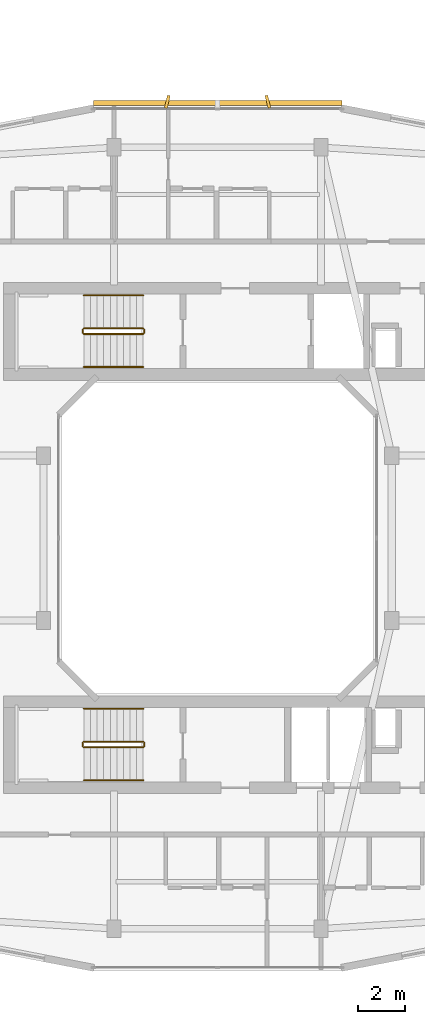
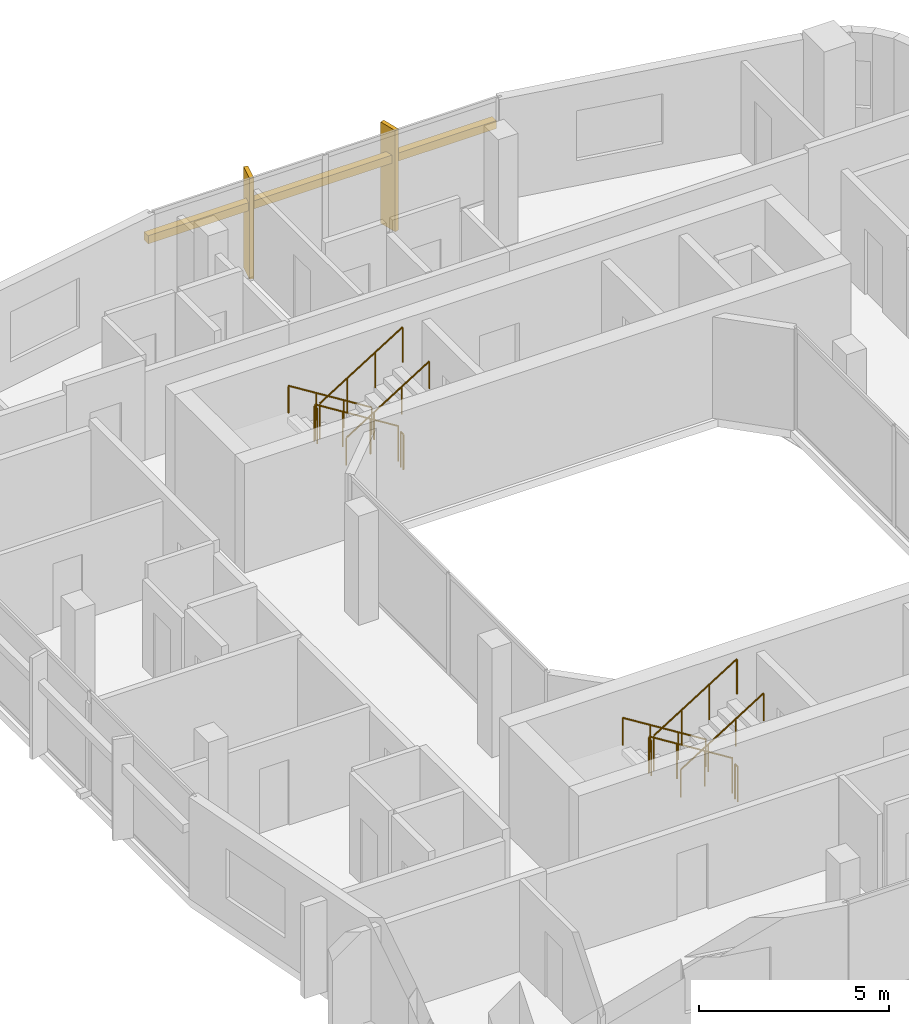
# One storey, part 25 of 25: 12 railings, 3 shading devices.
"""IFC4 building model written with IfcOpenShell, lengths in metres."""

import ifcopenshell
import ifcopenshell.guid

model = None  # the IFC model being written
_history = None  # IfcOwnerHistory: only IFC2X3 demands one
_inside = {}  # id of a spatial element -> (the spatial element, [elements in it])
_under = {}  # id of a project, library or spatial element -> (it, [spatial elements below it])
_declared = {}  # id of a project -> (the project, [libraries it declares])
_typed = {}  # id of a type object -> (the type object, [elements of that type])
_made_of = {}  # id of a material, layer set ... -> (it, [elements and type objects made of it])


def new_model(schema):
    """Start an empty IFC model of exactly this schema.

    Asked for "IFC4X3", IfcOpenShell would pick the latest addendum, in which some entities
    have other attributes; the version numbers below select the first issue.
    IFC2X3 requires an IfcOwnerHistory on every rooted entity: one is made here for all.
    """
    global model, _history
    if schema == "IFC4X3":
        model = ifcopenshell.file(schema_version=(4, 3, 0, 0))
    else:
        model = ifcopenshell.file(schema=schema)
    _inside.clear()
    _under.clear()
    _declared.clear()
    _typed.clear()
    _made_of.clear()
    _history = None
    if model.schema == "IFC2X3":
        org = make("IfcOrganization", Name="unknown")
        user = make(
            "IfcPersonAndOrganization",
            ThePerson=make("IfcPerson", FamilyName="unknown"),
            TheOrganization=org,
        )
        app = make(
            "IfcApplication",
            ApplicationDeveloper=org,
            Version="unknown",
            ApplicationFullName="unknown",
            ApplicationIdentifier="unknown",
        )
        _history = make(
            "IfcOwnerHistory",
            OwningUser=user,
            OwningApplication=app,
            ChangeAction="ADDED",
            CreationDate=0,
        )
    return model


def make(cls, **values):
    """One entity of the class cls with the attributes given. An attribute that is None is left unset."""
    return model.create_entity(
        cls, **{name: value for name, value in values.items() if value is not None}
    )


def rooted(cls, **values):
    """An entity with a GlobalId (a new one), such as an element, a storey or a relation."""
    return make(cls, GlobalId=ifcopenshell.guid.new(), OwnerHistory=_history, **values)


def si_unit(unit_type, name, prefix=None):
    """IfcSIUnit, for example si_unit("LENGTHUNIT", "METRE", prefix="MILLI")."""
    return make("IfcSIUnit", UnitType=unit_type, Prefix=prefix, Name=name)


def derived_unit(unit_type, elements):
    """IfcDerivedUnit: a product of units, each with its exponent."""
    return make(
        "IfcDerivedUnit",
        Elements=[
            make("IfcDerivedUnitElement", Unit=unit, Exponent=power)
            for unit, power in elements
        ],
        UnitType=unit_type,
    )


def assignment(units):
    """IfcUnitAssignment: the units of a project."""
    return None if units is None else make("IfcUnitAssignment", Units=units)


def point(xyz):
    """IfcCartesianPoint."""
    return None if xyz is None else make("IfcCartesianPoint", Coordinates=xyz)


def direction(xyz):
    """IfcDirection."""
    return None if xyz is None else make("IfcDirection", DirectionRatios=xyz)


def frame(location, z_axis=None, x_axis=None):
    """IfcAxis2Placement3D, a coordinate frame: its origin and axes. An axis left out is left unset."""
    return make(
        "IfcAxis2Placement3D",
        Location=point(location),
        Axis=direction(z_axis),
        RefDirection=direction(x_axis),
    )


def frame_2d(location, x_axis=None):
    """IfcAxis2Placement2D, a coordinate frame in the plane: its origin and x axis."""
    return make(
        "IfcAxis2Placement2D", Location=point(location), RefDirection=direction(x_axis)
    )


def origin():
    """The frame at (0, 0, 0) with its axes left unset."""
    return frame((0.0, 0.0, 0.0))


def origin_2d():
    """The frame at (0, 0) in the plane with its x axis left unset."""
    return frame_2d((0.0, 0.0))


def place(relative_to, where):
    """IfcLocalPlacement: puts the frame where relative to a parent placement (None: the world)."""
    return make(
        "IfcLocalPlacement", PlacementRelTo=relative_to, RelativePlacement=where
    )


def context(
    kind, dimensions, precision=None, world=None, true_north=None, identifier=None
):
    """IfcGeometricRepresentationContext, for example the 3D "Model" context."""
    return make(
        "IfcGeometricRepresentationContext",
        ContextIdentifier=identifier,
        ContextType=kind,
        CoordinateSpaceDimension=dimensions,
        Precision=precision,
        WorldCoordinateSystem=world,
        TrueNorth=true_north,
    )


def subcontext(parent, identifier, kind, view, scale=None):
    """IfcGeometricRepresentationSubContext, for example "Body" below "Model"."""
    return make(
        "IfcGeometricRepresentationSubContext",
        ContextIdentifier=identifier,
        ContextType=kind,
        ParentContext=parent,
        TargetScale=scale,
        TargetView=view,
    )


def project(units=None, contexts=None):
    """IfcProject with its units and contexts."""
    return rooted(
        "IfcProject",
        Name="project",
        RepresentationContexts=contexts,
        UnitsInContext=assignment(units),
    )


def spatial(cls, under=None, at=None, **own):
    """A site, building, storey or space (cls), placed at a placement, below another one or the project."""
    s = rooted(cls, ObjectPlacement=at, **own)
    if under is not None:
        _under.setdefault(under.id(), (under, []))[1].append(s)
    return s


def profile(cls, at=None, kind="AREA", **sizes):
    """A parametric profile (cls). Its sizes go by their IFC names, for example OverallWidth=200.0."""
    return make(cls, ProfileType=kind, Position=at, **sizes)


def rectangle(**sizes):
    """IfcRectangleProfileDef."""
    return profile("IfcRectangleProfileDef", **sizes)


def circle(**sizes):
    """IfcCircleProfileDef."""
    return profile("IfcCircleProfileDef", **sizes)


def extrude(swept, where, along, depth):
    """IfcExtrudedAreaSolid: the profile swept, set in the frame where, extruded along a direction by depth."""
    return make(
        "IfcExtrudedAreaSolid",
        SweptArea=swept,
        Position=where,
        ExtrudedDirection=direction(along),
        Depth=depth,
    )


def shape(context_of_items, identifier, shape_type, items):
    """IfcShapeRepresentation: the items that make up one representation, for example the "Body"."""
    return make(
        "IfcShapeRepresentation",
        ContextOfItems=context_of_items,
        RepresentationIdentifier=identifier,
        RepresentationType=shape_type,
        Items=items,
    )


def material(Name=None, Category=None):
    """IfcMaterial."""
    return make("IfcMaterial", Name=Name, Category=Category)


def made_of(thing, what):
    """Note that an element or type object is made of a material, layer set ...; save() writes the relation."""
    if what is not None:
        _made_of.setdefault(what.id(), (what, []))[1].append(thing)
    return thing


def type_object(cls, material=None, **own):
    """A type object (cls), such as IfcWallType, which elements share."""
    return made_of(rooted(cls, **own), material)


def element(
    cls,
    number,
    at=None,
    inside=None,
    cuts=None,
    type_object=None,
    material=None,
    context=None,
    identifier="Body",
    shape_type=None,
    held_by="IfcProductDefinitionShape",
    body=None,
    shapes=None,
    **own,
):
    """One element of the class cls, such as IfcWall. Its Tag is "e" and its number.

    at: its placement. inside: the storey or other place that contains it. cuts: it is an
    opening in that element (IfcRelVoidsElement). A single representation is given by context,
    identifier, shape_type and body (its items); several are given by shapes. held_by: the class
    of the entity that holds the representations. save() writes the other relations.
    """
    e = rooted(cls, Tag="e%d" % number, ObjectPlacement=at, **own)
    if body is not None:
        shapes = [shape(context, identifier, shape_type, body)]
    if shapes is not None:
        e.Representation = make(held_by, Representations=shapes)
    if inside is not None:
        _inside.setdefault(inside.id(), (inside, []))[1].append(e)
    if cuts is not None:
        rooted(
            "IfcRelVoidsElement", RelatingBuildingElement=cuts, RelatedOpeningElement=e
        )
    if type_object is not None:
        _typed.setdefault(type_object.id(), (type_object, []))[1].append(e)
    return made_of(e, material)


def aggregate(whole, parts):
    """IfcRelAggregates: a whole, such as a stair, and the parts it consists of."""
    return rooted("IfcRelAggregates", RelatingObject=whole, RelatedObjects=parts)


def save(model, path):
    """Write the relations noted so far, then the file.

    IfcRelAggregates (storeys below a building ...), IfcRelContainedInSpatialStructure (elements
    in a storey), IfcRelDefinesByType, IfcRelAssociatesMaterial and IfcRelDeclares: one each for
    every whole, place, type object, material and project.
    """
    for whole, parts in _under.values():
        aggregate(whole, parts)
    for where, things in _inside.values():
        rooted(
            "IfcRelContainedInSpatialStructure",
            RelatedElements=things,
            RelatingStructure=where,
        )
    for kind, things in _typed.values():
        rooted("IfcRelDefinesByType", RelatedObjects=things, RelatingType=kind)
    for what, things in _made_of.values():
        rooted("IfcRelAssociatesMaterial", RelatedObjects=things, RelatingMaterial=what)
    for by, libraries in _declared.values():
        rooted("IfcRelDeclares", RelatingContext=by, RelatedDefinitions=libraries)
    model.write(path)


model = new_model("IFC4")

# Units and contexts
model_context = context("Model", 3, precision=1e-05, world=origin(), true_north=direction((0.0, 1.0)))
body_context = subcontext(model_context, "Body", "Model", "MODEL_VIEW")
ifc_project = project(units=[si_unit("LENGTHUNIT", "METRE"), si_unit("AREAUNIT", "SQUARE_METRE"), si_unit("VOLUMEUNIT", "CUBIC_METRE"), si_unit("PLANEANGLEUNIT", "RADIAN"), si_unit("MASSUNIT", "GRAM", prefix="KILO"), derived_unit("THERMALTRANSMITTANCEUNIT", [(si_unit("POWERUNIT", "WATT"), 1), (si_unit("LENGTHUNIT", "METRE"), -2), (si_unit("THERMODYNAMICTEMPERATUREUNIT", "KELVIN"), -1)])], contexts=[model_context])

# Site, building, storey
site_placement = place(None, origin())
site = spatial("IfcSite", under=ifc_project, at=site_placement, CompositionType="ELEMENT")
building_placement = place(site_placement, origin())
building = spatial("IfcBuilding", under=site, at=building_placement, Name="Kivonza Crest Hotel", CompositionType="ELEMENT")
storey_placement = place(building_placement, frame((0.0, 0.0, 83.5)))
storey = spatial("IfcBuildingStorey", under=building, at=storey_placement, Name="L22", CompositionType="ELEMENT", Elevation=83.5)

# Railings
ifc_material_1 = material(Name="Brushed stainless steel handrail", Category="steel")
railing_type_1 = type_object("IfcRailingType", Name="RL-HAND-900", PredefinedType="HANDRAIL", material=ifc_material_1)
railing_1_placement = place(storey_placement, frame((73.840087890625, 35.31005859375, 0.175048828125)))
element("IfcRailing", 1, at=railing_1_placement, inside=storey, type_object=railing_type_1, Name="L22 ST-T2-N stair handrail 1", PredefinedType="HANDRAIL", context=body_context, shape_type="SweptSolid", body=[
    extrude(circle(Radius=0.02392578125, at=origin_2d()), frame((0.0, 0.0, 0.8759765625), z_axis=(-0.848007534815, 0.0, 0.529984170421), x_axis=(0.0, -1.0, 0.0)), (0.0, 0.0, 1.0), 2.9716796875),
    extrude(circle(Radius=0.02099609375, at=origin_2d()), origin(), (0.0, 0.0, 1.0), 0.851806640625),
    extrude(circle(Radius=0.02099609375, at=origin_2d()), frame((-0.840087890625, 0.0, 0.52490234375)), (0.0, 0.0, 1.0), 0.851806640625),
    extrude(circle(Radius=0.02099609375, at=origin_2d()), frame((-1.679931640625, 0.0, 1.050048828125)), (0.0, 0.0, 1.0), 0.851806640625),
    extrude(circle(Radius=0.02099609375, at=origin_2d()), frame((-2.52001953125, 0.0, 1.574951171875)), (0.0, 0.0, 1.0), 0.851806640625),
])
railing_2_placement = place(storey_placement, frame((71.320068359375, 32.27001953125, 1.925048828125)))
element("IfcRailing", 2, at=railing_2_placement, inside=storey, type_object=railing_type_1, Name="L22 ST-T2-N stair handrail 2", PredefinedType="HANDRAIL", context=body_context, shape_type="SweptSolid", body=[
    extrude(circle(Radius=0.02392578125, at=origin_2d()), frame((0.0, 0.0, 0.8759765625), z_axis=(0.848007534815, 0.0, 0.529984170421), x_axis=(0.0, 1.0, 0.0)), (0.0, 0.0, 1.0), 2.9716796875),
    extrude(circle(Radius=0.02099609375, at=origin_2d()), origin(), (0.0, 0.0, 1.0), 0.851806640625),
    extrude(circle(Radius=0.02099609375, at=origin_2d()), frame((0.840087890625, 0.0, 0.52490234375)), (0.0, 0.0, 1.0), 0.851806640625),
    extrude(circle(Radius=0.02099609375, at=origin_2d()), frame((1.679931640625, 0.0, 1.050048828125)), (0.0, 0.0, 1.0), 0.851806640625),
    extrude(circle(Radius=0.02099609375, at=origin_2d()), frame((2.52001953125, 0.0, 1.574951171875)), (0.0, 0.0, 1.0), 0.851806640625),
])
railing_3_placement = place(storey_placement, frame((73.840087890625, 17.75, 0.175048828125)))
element("IfcRailing", 3, at=railing_3_placement, inside=storey, type_object=railing_type_1, Name="L22 ST-T2-S stair handrail 1", PredefinedType="HANDRAIL", context=body_context, shape_type="SweptSolid", body=[
    extrude(circle(Radius=0.02392578125, at=origin_2d()), frame((0.0, 0.0, 0.8759765625), z_axis=(-0.848007534815, 0.0, 0.529984170421), x_axis=(0.0, -1.0, 0.0)), (0.0, 0.0, 1.0), 2.9716796875),
    extrude(circle(Radius=0.02099609375, at=origin_2d()), origin(), (0.0, 0.0, 1.0), 0.851806640625),
    extrude(circle(Radius=0.02099609375, at=origin_2d()), frame((-0.840087890625, 0.0, 0.52490234375)), (0.0, 0.0, 1.0), 0.851806640625),
    extrude(circle(Radius=0.02099609375, at=origin_2d()), frame((-1.679931640625, 0.0, 1.050048828125)), (0.0, 0.0, 1.0), 0.851806640625),
    extrude(circle(Radius=0.02099609375, at=origin_2d()), frame((-2.52001953125, 0.0, 1.574951171875)), (0.0, 0.0, 1.0), 0.851806640625),
])
railing_4_placement = place(storey_placement, frame((71.320068359375, 14.7099609375, 1.925048828125)))
element("IfcRailing", 4, at=railing_4_placement, inside=storey, type_object=railing_type_1, Name="L22 ST-T2-S stair handrail 2", PredefinedType="HANDRAIL", context=body_context, shape_type="SweptSolid", body=[
    extrude(circle(Radius=0.02392578125, at=origin_2d()), frame((0.0, 0.0, 0.8759765625), z_axis=(0.848007534815, 0.0, 0.529984170421), x_axis=(0.0, 1.0, 0.0)), (0.0, 0.0, 1.0), 2.9716796875),
    extrude(circle(Radius=0.02099609375, at=origin_2d()), origin(), (0.0, 0.0, 1.0), 0.851806640625),
    extrude(circle(Radius=0.02099609375, at=origin_2d()), frame((0.840087890625, 0.0, 0.52490234375)), (0.0, 0.0, 1.0), 0.851806640625),
    extrude(circle(Radius=0.02099609375, at=origin_2d()), frame((1.679931640625, 0.0, 1.050048828125)), (0.0, 0.0, 1.0), 0.851806640625),
    extrude(circle(Radius=0.02099609375, at=origin_2d()), frame((2.52001953125, 0.0, 1.574951171875)), (0.0, 0.0, 1.0), 0.851806640625),
])
ifc_material_2 = material(Name="Painted steel balustrade", Category="steel")
railing_type_2 = type_object("IfcRailingType", Name="RL-STAIR-1150", PredefinedType="BALUSTRADE", material=ifc_material_2)
railing_5_placement = place(storey_placement, frame((73.840087890625, 33.909912109375, 0.175048828125)))
element("IfcRailing", 5, at=railing_5_placement, inside=storey, type_object=railing_type_2, Name="L22 ST-T2-N stair guard 1", PredefinedType="BALUSTRADE", context=body_context, shape_type="SweptSolid", body=[
    extrude(circle(Radius=0.02392578125, at=origin_2d()), frame((0.0, 0.0, 1.1259765625), z_axis=(-0.848007534815, 0.0, 0.529984170421), x_axis=(0.0, -1.0, 0.0)), (0.0, 0.0, 1.0), 2.9716796875),
    extrude(circle(Radius=0.02099609375, at=origin_2d()), origin(), (0.0, 0.0, 1.0), 1.101806640625),
    extrude(circle(Radius=0.02099609375, at=origin_2d()), frame((-0.840087890625, 0.0, 0.52490234375)), (0.0, 0.0, 1.0), 1.101806640625),
    extrude(circle(Radius=0.02099609375, at=origin_2d()), frame((-1.679931640625, 0.0, 1.050048828125)), (0.0, 0.0, 1.0), 1.101806640625),
    extrude(circle(Radius=0.02099609375, at=origin_2d()), frame((-2.52001953125, 0.0, 1.574951171875)), (0.0, 0.0, 1.0), 1.101806640625),
])
railing_6_placement = place(storey_placement, frame((71.27001953125, 33.860107421875, 1.75)))
element("IfcRailing", 6, at=railing_6_placement, inside=storey, type_object=railing_type_2, Name="L22 ST-T2-N stair guard 2", PredefinedType="BALUSTRADE", context=body_context, shape_type="SweptSolid", body=[
    extrude(circle(Radius=0.02392578125, at=origin_2d()), frame((0.0, 0.0, 1.1259765625), z_axis=(0.0, -1.0, 0.0), x_axis=(1.0, 0.0, 0.0)), (0.0, 0.0, 1.0), 0.14013671875),
    extrude(circle(Radius=0.02099609375, at=origin_2d()), origin(), (0.0, 0.0, 1.0), 1.101806640625),
    extrude(circle(Radius=0.02099609375, at=origin_2d()), frame((0.0, -0.14013671875, 0.0)), (0.0, 0.0, 1.0), 1.101806640625),
])
railing_7_placement = place(storey_placement, frame((71.320068359375, 33.669921875, 1.925048828125)))
element("IfcRailing", 7, at=railing_7_placement, inside=storey, type_object=railing_type_2, Name="L22 ST-T2-N stair guard 3", PredefinedType="BALUSTRADE", context=body_context, shape_type="SweptSolid", body=[
    extrude(circle(Radius=0.02392578125, at=origin_2d()), frame((0.0, 0.0, 1.1259765625), z_axis=(0.848007534815, 0.0, 0.529984170421), x_axis=(0.0, 1.0, 0.0)), (0.0, 0.0, 1.0), 2.9716796875),
    extrude(circle(Radius=0.02099609375, at=origin_2d()), origin(), (0.0, 0.0, 1.0), 1.101806640625),
    extrude(circle(Radius=0.02099609375, at=origin_2d()), frame((0.840087890625, 0.0, 0.52490234375)), (0.0, 0.0, 1.0), 1.101806640625),
    extrude(circle(Radius=0.02099609375, at=origin_2d()), frame((1.679931640625, 0.0, 1.050048828125)), (0.0, 0.0, 1.0), 1.101806640625),
    extrude(circle(Radius=0.02099609375, at=origin_2d()), frame((2.52001953125, 0.0, 1.574951171875)), (0.0, 0.0, 1.0), 1.101806640625),
])
railing_8_placement = place(storey_placement, frame((73.889892578125, 33.860107421875, 0.0)))
element("IfcRailing", 8, at=railing_8_placement, inside=storey, type_object=railing_type_2, Name="L22 ST-T2-N stair guard 4", PredefinedType="BALUSTRADE", context=body_context, shape_type="SweptSolid", body=[
    extrude(circle(Radius=0.02392578125, at=origin_2d()), frame((0.0, 0.0, 1.1259765625), z_axis=(0.0, -1.0, 0.0), x_axis=(1.0, 0.0, 0.0)), (0.0, 0.0, 1.0), 0.14013671875),
    extrude(circle(Radius=0.02099609375, at=origin_2d()), origin(), (0.0, 0.0, 1.0), 1.101806640625),
    extrude(circle(Radius=0.02099609375, at=origin_2d()), frame((0.0, -0.14013671875, 0.0)), (0.0, 0.0, 1.0), 1.101806640625),
])
railing_9_placement = place(storey_placement, frame((73.840087890625, 16.35009765625, 0.175048828125)))
element("IfcRailing", 9, at=railing_9_placement, inside=storey, type_object=railing_type_2, Name="L22 ST-T2-S stair guard 1", PredefinedType="BALUSTRADE", context=body_context, shape_type="SweptSolid", body=[
    extrude(circle(Radius=0.02392578125, at=origin_2d()), frame((0.0, 0.0, 1.1259765625), z_axis=(-0.848007534815, 0.0, 0.529984170421), x_axis=(0.0, -1.0, 0.0)), (0.0, 0.0, 1.0), 2.9716796875),
    extrude(circle(Radius=0.02099609375, at=origin_2d()), origin(), (0.0, 0.0, 1.0), 1.101806640625),
    extrude(circle(Radius=0.02099609375, at=origin_2d()), frame((-0.840087890625, 0.0, 0.52490234375)), (0.0, 0.0, 1.0), 1.101806640625),
    extrude(circle(Radius=0.02099609375, at=origin_2d()), frame((-1.679931640625, 0.0, 1.050048828125)), (0.0, 0.0, 1.0), 1.101806640625),
    extrude(circle(Radius=0.02099609375, at=origin_2d()), frame((-2.52001953125, 0.0, 1.574951171875)), (0.0, 0.0, 1.0), 1.101806640625),
])
railing_10_placement = place(storey_placement, frame((71.27001953125, 16.300048828125, 1.75)))
element("IfcRailing", 10, at=railing_10_placement, inside=storey, type_object=railing_type_2, Name="L22 ST-T2-S stair guard 2", PredefinedType="BALUSTRADE", context=body_context, shape_type="SweptSolid", body=[
    extrude(circle(Radius=0.02392578125, at=origin_2d()), frame((0.0, 0.0, 1.1259765625), z_axis=(0.0, -1.0, 0.0), x_axis=(1.0, 0.0, 0.0)), (0.0, 0.0, 1.0), 0.14013671875),
    extrude(circle(Radius=0.02099609375, at=origin_2d()), origin(), (0.0, 0.0, 1.0), 1.101806640625),
    extrude(circle(Radius=0.02099609375, at=origin_2d()), frame((0.0, -0.14013671875, 0.0)), (0.0, 0.0, 1.0), 1.101806640625),
])
railing_11_placement = place(storey_placement, frame((71.320068359375, 16.110107421875, 1.925048828125)))
element("IfcRailing", 11, at=railing_11_placement, inside=storey, type_object=railing_type_2, Name="L22 ST-T2-S stair guard 3", PredefinedType="BALUSTRADE", context=body_context, shape_type="SweptSolid", body=[
    extrude(circle(Radius=0.02392578125, at=origin_2d()), frame((0.0, 0.0, 1.1259765625), z_axis=(0.848007534815, 0.0, 0.529984170421), x_axis=(0.0, 1.0, 0.0)), (0.0, 0.0, 1.0), 2.9716796875),
    extrude(circle(Radius=0.02099609375, at=origin_2d()), origin(), (0.0, 0.0, 1.0), 1.101806640625),
    extrude(circle(Radius=0.02099609375, at=origin_2d()), frame((0.840087890625, 0.0, 0.52490234375)), (0.0, 0.0, 1.0), 1.101806640625),
    extrude(circle(Radius=0.02099609375, at=origin_2d()), frame((1.679931640625, 0.0, 1.050048828125)), (0.0, 0.0, 1.0), 1.101806640625),
    extrude(circle(Radius=0.02099609375, at=origin_2d()), frame((2.52001953125, 0.0, 1.574951171875)), (0.0, 0.0, 1.0), 1.101806640625),
])
railing_12_placement = place(storey_placement, frame((73.889892578125, 16.300048828125, 0.0)))
element("IfcRailing", 12, at=railing_12_placement, inside=storey, type_object=railing_type_2, Name="L22 ST-T2-S stair guard 4", PredefinedType="BALUSTRADE", context=body_context, shape_type="SweptSolid", body=[
    extrude(circle(Radius=0.02392578125, at=origin_2d()), frame((0.0, 0.0, 1.1259765625), z_axis=(0.0, -1.0, 0.0), x_axis=(1.0, 0.0, 0.0)), (0.0, 0.0, 1.0), 0.14013671875),
    extrude(circle(Radius=0.02099609375, at=origin_2d()), origin(), (0.0, 0.0, 1.0), 1.101806640625),
    extrude(circle(Radius=0.02099609375, at=origin_2d()), frame((0.0, -0.14013671875, 0.0)), (0.0, 0.0, 1.0), 1.101806640625),
])

# Shading devices
ifc_material_3 = material(Name="Kiln-fired Nairobi red-ochre terracotta", Category="masonry")
shading_device_type_1 = type_object("IfcShadingDeviceType", Name="SH-BAGUETTE-300", PredefinedType="USERDEFINED", material=ifc_material_3)
shading_device_placement = place(storey_placement, frame((77.0, 43.47998046875, 2.14501953125), z_axis=(0.0, 0.0, 1.0), x_axis=(-1.0, 0.0, 0.0)))
element("IfcShadingDevice", 13, at=shading_device_placement, inside=storey, type_object=shading_device_type_1, Name="L22 terracotta baguette screen CW-T2-L22-26", ObjectType="BAGUETTE", PredefinedType="USERDEFINED", context=body_context, shape_type="SweptSolid", body=[
    extrude(rectangle(XDim=10.56005859375, YDim=0.219970703125, at=origin_2d()), origin(), (0.0, 0.0, 1.0), 0.260009765625),
])
ifc_material_4 = material(Name="Kiln-fired terracotta over extruded aluminium spine", Category="masonry")
shading_device_type_2 = type_object("IfcShadingDeviceType", Name="SH-FIN-550", PredefinedType="USERDEFINED", material=ifc_material_4)
for number, where, z_axis, x_axis, name in (
    (14, (79.135986328125, 43.5400390625, 0.0), (0.0, 0.0, 1.0), (-0.970295726276, -0.2419218956, 0.0), "L22 vertical solar shading fin CW-T2-L22-26-1"),
    (15, (74.864013671875, 43.5400390625, 0.0), (0.0, 0.0, 1.0), (-0.970295726276, 0.2419218956, 0.0), "L22 vertical solar shading fin CW-T2-L22-26-2"),
):
    element("IfcShadingDevice", number, at=place(storey_placement, frame(where, z_axis=z_axis, x_axis=x_axis)), inside=storey, type_object=shading_device_type_2, Name=name, ObjectType="FIN", PredefinedType="USERDEFINED", context=body_context, shape_type="SweptSolid", body=[
        extrude(rectangle(XDim=0.1201171875, YDim=0.550048828125, at=origin_2d()), origin(), (0.0, 0.0, 1.0), 3.25),
    ])

save(model, "model.ifc")
